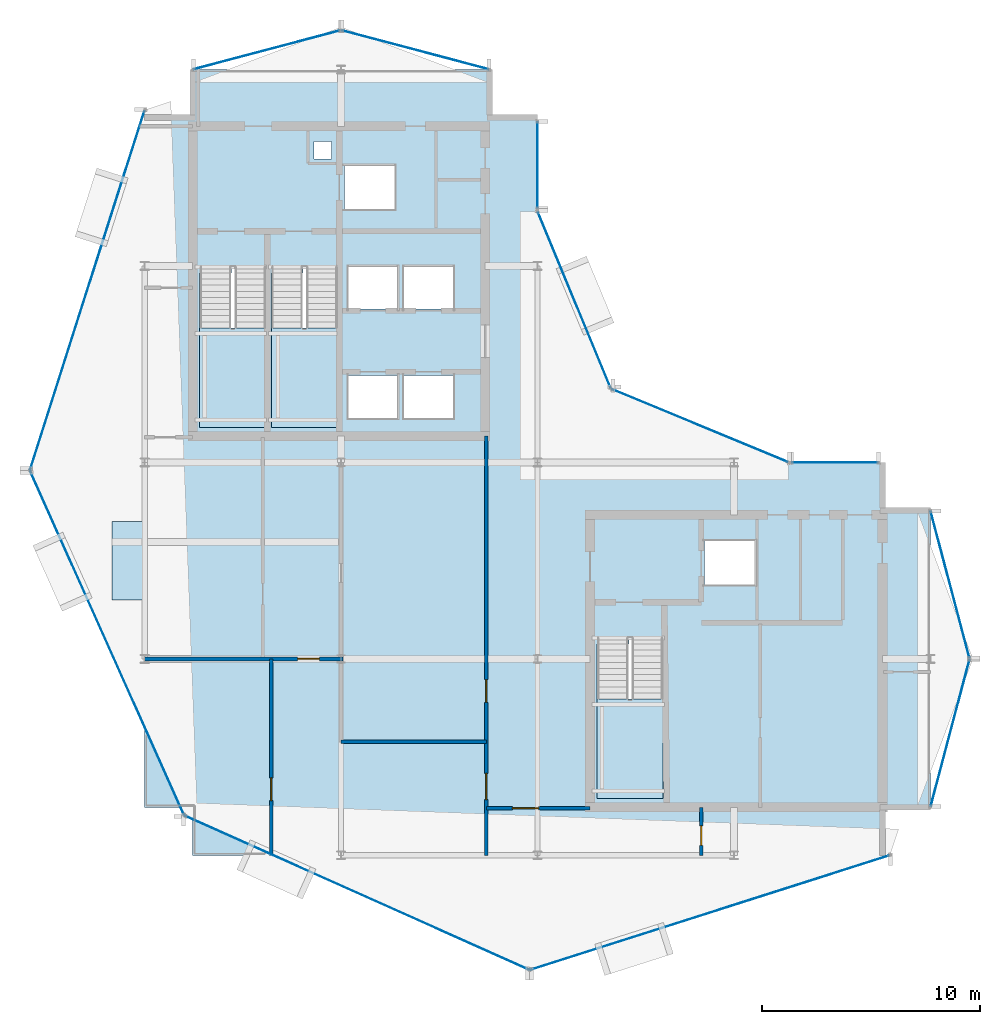
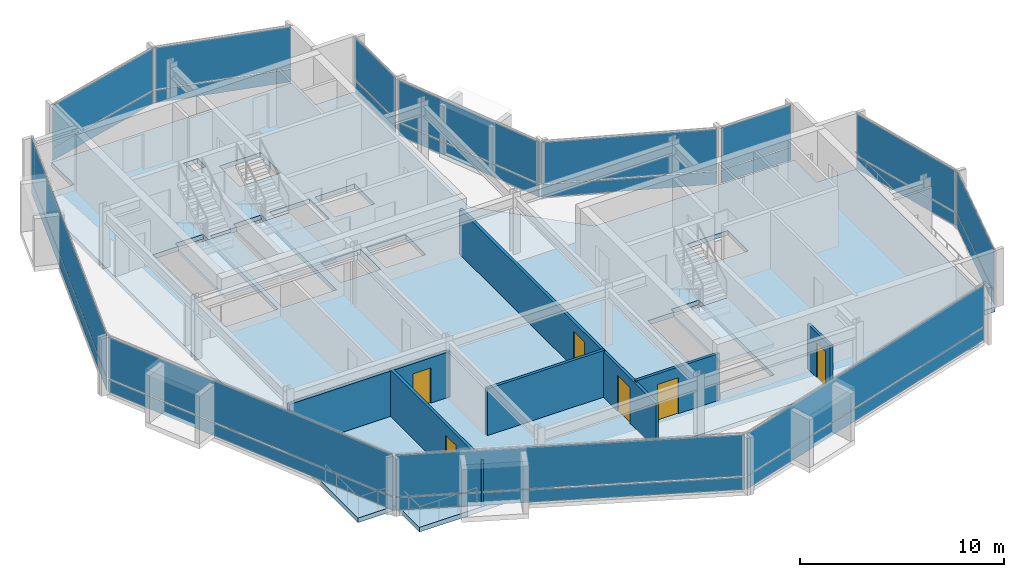
# One storey, part 13 of 19: 24 plates, 6 doors, 6 walls, 5 slabs, 6 openings, 15 elements without a shape of their own.
"""IFC4 building model written with IfcOpenShell, lengths in metres."""

from ifc_helpers import new_model, si_unit, direction, frame, frame_2d, origin, origin_2d, place, context, subcontext, project, spatial, polyline, rectangle, outline, extrude, material, layer, layer_set, type_object, element, fill, aggregate, save


model = new_model("IFC4")

# Units and contexts
model_context = context("Model", 3, precision=1e-05, world=origin(), true_north=direction((0.0, 1.0)))
body_context = subcontext(model_context, "Body", "Model", "MODEL_VIEW")
ifc_project = project(units=[si_unit("LENGTHUNIT", "METRE"), si_unit("AREAUNIT", "SQUARE_METRE"), si_unit("VOLUMEUNIT", "CUBIC_METRE"), si_unit("PLANEANGLEUNIT", "RADIAN"), si_unit("MASSUNIT", "GRAM", prefix="KILO")], contexts=[model_context])

# Site, building, storey
site_placement = place(None, origin())
site = spatial("IfcSite", under=ifc_project, at=site_placement, CompositionType="ELEMENT")
building_placement = place(site_placement, origin())
building = spatial("IfcBuilding", under=site, at=building_placement, Name="Solvaryn Broadcast Tower", CompositionType="ELEMENT")
storey_placement = place(building_placement, frame((0.0, 0.0, 248.199951171875)))
storey = spatial("IfcBuildingStorey", under=building, at=storey_placement, Name="L62", CompositionType="ELEMENT", Elevation=248.199951171875)

# Curtain wall, plates
ifc_material_1 = material(Name="Aluminium and Terracotta Unitised Curtain Wall", Category="masonry")
ifc_layer_1 = layer(ifc_material_1, 0.199951171875)
ifc_layer_set_1 = layer_set([ifc_layer_1], Name="CW-SYS2-LOWMID")
curtain_wall_type = type_object("IfcCurtainWallType", Name="CW-SYS2-LOWMID", PredefinedType="NOTDEFINED", material=ifc_layer_set_1)
curtain_wall_1_placement = place(storey_placement, origin())
curtain_wall_1 = element("IfcCurtainWall", 1, at=curtain_wall_1_placement, inside=storey, type_object=curtain_wall_type, Name="L62 Curtain Wall DR1", PredefinedType="NOTDEFINED")
ifc_material_2 = material(Name="Kiln-Fired Architectural Terracotta Spandrel", Category="masonry")
ifc_layer_2 = layer(ifc_material_2, 0.048095703125)
ifc_layer_set_2 = layer_set([ifc_layer_2], Name="CW-PNL-TERRACOTTA")
plate_type = type_object("IfcPlateType", Name="CW-PNL-TERRACOTTA", PredefinedType="CURTAIN_PANEL", material=ifc_layer_set_2)
plate_1_placement = place(storey_placement, frame((6.368896484375, 34.892578125, 0.06005859375), z_axis=(0.0, 0.0, 1.0), x_axis=(-0.30361564569, -0.952794594701, 0.0)))
plate_1 = element("IfcPlate", 2, at=plate_1_placement, type_object=plate_type, Name="CWS2 panel 1.1", PredefinedType="CURTAIN_PANEL", context=body_context, shape_type="SweptSolid", body=[
    extrude(rectangle(XDim=17.211181640625, YDim=0.028076171875, at=origin_2d()), origin(), (0.0, 0.0, 1.0), 0.760009765625),
])
plate_2_placement = place(storey_placement, frame((6.368896484375, 34.892578125, 0.880126953125), z_axis=(0.0, 0.0, 1.0), x_axis=(-0.30361564569, -0.952794594701, 0.0)))
plate_2 = element("IfcPlate", 3, at=plate_2_placement, type_object=plate_type, Name="CWS2 panel 1.2", PredefinedType="CURTAIN_PANEL", context=body_context, shape_type="SweptSolid", body=[
    extrude(rectangle(XDim=17.211181640625, YDim=0.028076171875, at=origin_2d()), origin(), (0.0, 0.0, 1.0), 2.47998046875),
])
aggregate(curtain_wall_1, [plate_1, plate_2])

curtain_wall_2_placement = place(storey_placement, origin())
curtain_wall_2 = element("IfcCurtainWall", 4, at=curtain_wall_2_placement, inside=storey, type_object=curtain_wall_type, Name="L62 Curtain Wall DR2", PredefinedType="NOTDEFINED")
plate_3_placement = place(storey_placement, frame((7.277587890625, 18.7265625, 0.06005859375), z_axis=(0.0, 0.0, 1.0), x_axis=(0.408466010682, -0.912773530574, 0.0)))
plate_3 = element("IfcPlate", 5, at=plate_3_placement, type_object=plate_type, Name="CWS2 panel 1.1", PredefinedType="CURTAIN_PANEL", context=body_context, shape_type="SweptSolid", body=[
    extrude(rectangle(XDim=17.210693359375, YDim=0.028076171875, at=origin_2d()), origin(), (0.0, 0.0, 1.0), 0.760009765625),
])
plate_4_placement = place(storey_placement, frame((7.277587890625, 18.7265625, 0.880126953125), z_axis=(0.0, 0.0, 1.0), x_axis=(0.408466010682, -0.912773530574, 0.0)))
plate_4 = element("IfcPlate", 6, at=plate_4_placement, type_object=plate_type, Name="CWS2 panel 1.2", PredefinedType="CURTAIN_PANEL", context=body_context, shape_type="SweptSolid", body=[
    extrude(rectangle(XDim=17.210693359375, YDim=0.028076171875, at=origin_2d()), origin(), (0.0, 0.0, 1.0), 2.47998046875),
])
aggregate(curtain_wall_2, [plate_3, plate_4])

curtain_wall_3_placement = place(storey_placement, origin())
curtain_wall_3 = element("IfcCurtainWall", 7, at=curtain_wall_3_placement, inside=storey, type_object=curtain_wall_type, Name="L62 Curtain Wall DR3", PredefinedType="NOTDEFINED")
plate_5_placement = place(storey_placement, frame((18.7265625, 7.277587890625, 0.06005859375), z_axis=(0.0, 0.0, 1.0), x_axis=(0.912773530574, -0.408466010682, 0.0)))
plate_5 = element("IfcPlate", 8, at=plate_5_placement, type_object=plate_type, Name="CWS2 panel 1.1", PredefinedType="CURTAIN_PANEL", context=body_context, shape_type="SweptSolid", body=[
    extrude(rectangle(XDim=17.210693359375, YDim=0.028076171875, at=origin_2d()), origin(), (0.0, 0.0, 1.0), 0.760009765625),
])
plate_6_placement = place(storey_placement, frame((18.7265625, 7.277587890625, 0.880126953125), z_axis=(0.0, 0.0, 1.0), x_axis=(0.912773530574, -0.408466010682, 0.0)))
plate_6 = element("IfcPlate", 9, at=plate_6_placement, type_object=plate_type, Name="CWS2 panel 1.2", PredefinedType="CURTAIN_PANEL", context=body_context, shape_type="SweptSolid", body=[
    extrude(rectangle(XDim=17.210693359375, YDim=0.028076171875, at=origin_2d()), origin(), (0.0, 0.0, 1.0), 2.47998046875),
])
aggregate(curtain_wall_3, [plate_5, plate_6])

curtain_wall_4_placement = place(storey_placement, origin())
curtain_wall_4 = element("IfcCurtainWall", 10, at=curtain_wall_4_placement, inside=storey, type_object=curtain_wall_type, Name="L62 Curtain Wall DR4", PredefinedType="NOTDEFINED")
plate_7_placement = place(storey_placement, frame((34.892578125, 6.368896484375, 0.06005859375), z_axis=(0.0, 0.0, 1.0), x_axis=(0.952794594701, 0.30361564569, 0.0)))
plate_7 = element("IfcPlate", 11, at=plate_7_placement, type_object=plate_type, Name="CWS2 panel 1.1", PredefinedType="CURTAIN_PANEL", context=body_context, shape_type="SweptSolid", body=[
    extrude(rectangle(XDim=17.211181640625, YDim=0.028076171875, at=origin_2d()), origin(), (0.0, 0.0, 1.0), 0.760009765625),
])
plate_8_placement = place(storey_placement, frame((34.892578125, 6.368896484375, 0.880126953125), z_axis=(0.0, 0.0, 1.0), x_axis=(0.952794594701, 0.30361564569, 0.0)))
plate_8 = element("IfcPlate", 12, at=plate_8_placement, type_object=plate_type, Name="CWS2 panel 1.2", PredefinedType="CURTAIN_PANEL", context=body_context, shape_type="SweptSolid", body=[
    extrude(rectangle(XDim=17.211181640625, YDim=0.028076171875, at=origin_2d()), origin(), (0.0, 0.0, 1.0), 2.47998046875),
])
aggregate(curtain_wall_4, [plate_7, plate_8])

curtain_wall_5_placement = place(storey_placement, origin())
curtain_wall_5 = element("IfcCurtainWall", 13, at=curtain_wall_5_placement, inside=storey, type_object=curtain_wall_type, Name="L62 Curtain Wall IV", PredefinedType="NOTDEFINED")
plate_9_placement = place(storey_placement, frame((27.0, 40.625, 0.06005859375), z_axis=(0.0, 0.0, 1.0), x_axis=(0.0, -1.0, 0.0)))
plate_9 = element("IfcPlate", 14, at=plate_9_placement, type_object=plate_type, Name="CWS2 panel 1.1", PredefinedType="CURTAIN_PANEL", context=body_context, shape_type="SweptSolid", body=[
    extrude(rectangle(XDim=3.929931640625, YDim=0.028076171875, at=origin_2d()), origin(), (0.0, 0.0, 1.0), 0.760009765625),
])
plate_10_placement = place(storey_placement, frame((27.0, 40.625, 0.880126953125), z_axis=(0.0, 0.0, 1.0), x_axis=(0.0, -1.0, 0.0)))
plate_10 = element("IfcPlate", 15, at=plate_10_placement, type_object=plate_type, Name="CWS2 panel 1.2", PredefinedType="CURTAIN_PANEL", context=body_context, shape_type="SweptSolid", body=[
    extrude(rectangle(XDim=3.929931640625, YDim=0.028076171875, at=origin_2d()), origin(), (0.0, 0.0, 1.0), 2.47998046875),
])
aggregate(curtain_wall_5, [plate_9, plate_10])

curtain_wall_6_placement = place(storey_placement, origin())
curtain_wall_6 = element("IfcCurtainWall", 16, at=curtain_wall_6_placement, inside=storey, type_object=curtain_wall_type, Name="L62 Curtain Wall CN1", PredefinedType="NOTDEFINED")
plate_11_placement = place(storey_placement, frame((34.43408203125, 28.68408203125, 0.06005859375), z_axis=(0.0, 0.0, 1.0), x_axis=(-0.923894983957, 0.382646127145, 0.0)))
plate_11 = element("IfcPlate", 17, at=plate_11_placement, type_object=plate_type, Name="CWS2 panel 1.1", PredefinedType="CURTAIN_PANEL", context=body_context, shape_type="SweptSolid", body=[
    extrude(rectangle(XDim=8.681884765625, YDim=0.028076171875, at=origin_2d()), origin(), (0.0, 0.0, 1.0), 0.760009765625),
])
plate_12_placement = place(storey_placement, frame((34.43408203125, 28.68408203125, 0.880126953125), z_axis=(0.0, 0.0, 1.0), x_axis=(-0.923894983957, 0.382646127145, 0.0)))
plate_12 = element("IfcPlate", 18, at=plate_12_placement, type_object=plate_type, Name="CWS2 panel 1.2", PredefinedType="CURTAIN_PANEL", context=body_context, shape_type="SweptSolid", body=[
    extrude(rectangle(XDim=8.681884765625, YDim=0.028076171875, at=origin_2d()), origin(), (0.0, 0.0, 1.0), 2.47998046875),
])
aggregate(curtain_wall_6, [plate_11, plate_12])

curtain_wall_7_placement = place(storey_placement, origin())
curtain_wall_7 = element("IfcCurtainWall", 19, at=curtain_wall_7_placement, inside=storey, type_object=curtain_wall_type, Name="L62 Curtain Wall CN2", PredefinedType="NOTDEFINED")
plate_13_placement = place(storey_placement, frame((28.68408203125, 34.43408203125, 0.06005859375), z_axis=(0.0, 0.0, 1.0), x_axis=(-0.382646127145, 0.923894983957, 0.0)))
plate_13 = element("IfcPlate", 20, at=plate_13_placement, type_object=plate_type, Name="CWS2 panel 1.1", PredefinedType="CURTAIN_PANEL", context=body_context, shape_type="SweptSolid", body=[
    extrude(rectangle(XDim=8.681884765625, YDim=0.028076171875, at=origin_2d()), origin(), (0.0, 0.0, 1.0), 0.760009765625),
])
plate_14_placement = place(storey_placement, frame((28.68408203125, 34.43408203125, 0.880126953125), z_axis=(0.0, 0.0, 1.0), x_axis=(-0.382646127145, 0.923894983957, 0.0)))
plate_14 = element("IfcPlate", 21, at=plate_14_placement, type_object=plate_type, Name="CWS2 panel 1.2", PredefinedType="CURTAIN_PANEL", context=body_context, shape_type="SweptSolid", body=[
    extrude(rectangle(XDim=8.681884765625, YDim=0.028076171875, at=origin_2d()), origin(), (0.0, 0.0, 1.0), 2.47998046875),
])
aggregate(curtain_wall_7, [plate_13, plate_14])

curtain_wall_8_placement = place(storey_placement, origin())
curtain_wall_8 = element("IfcCurtainWall", 22, at=curtain_wall_8_placement, inside=storey, type_object=curtain_wall_type, Name="L62 Curtain Wall NT1", PredefinedType="NOTDEFINED")
plate_15_placement = place(storey_placement, frame((21.39990234375, 45.89990234375, 0.06005859375), z_axis=(0.0, 0.0, 1.0), x_axis=(-0.966705227863, 0.25589256031, 0.0)))
plate_15 = element("IfcPlate", 23, at=plate_15_placement, type_object=plate_type, Name="CWS2 panel 1.1", PredefinedType="CURTAIN_PANEL", context=body_context, shape_type="SweptSolid", body=[
    extrude(rectangle(XDim=6.914306640625, YDim=0.028076171875, at=origin_2d()), origin(), (0.0, 0.0, 1.0), 0.760009765625),
])
plate_16_placement = place(storey_placement, frame((21.39990234375, 45.89990234375, 0.880126953125), z_axis=(0.0, 0.0, 1.0), x_axis=(-0.966705227863, 0.25589256031, 0.0)))
plate_16 = element("IfcPlate", 24, at=plate_16_placement, type_object=plate_type, Name="CWS2 panel 1.2", PredefinedType="CURTAIN_PANEL", context=body_context, shape_type="SweptSolid", body=[
    extrude(rectangle(XDim=6.914306640625, YDim=0.028076171875, at=origin_2d()), origin(), (0.0, 0.0, 1.0), 2.47998046875),
])
aggregate(curtain_wall_8, [plate_15, plate_16])

curtain_wall_9_placement = place(storey_placement, origin())
curtain_wall_9 = element("IfcCurtainWall", 25, at=curtain_wall_9_placement, inside=storey, type_object=curtain_wall_type, Name="L62 Curtain Wall NT2", PredefinedType="NOTDEFINED")
plate_17_placement = place(storey_placement, frame((14.60009765625, 45.89990234375, 0.06005859375), z_axis=(0.0, 0.0, 1.0), x_axis=(-0.966705227863, -0.25589256031, 0.0)))
plate_17 = element("IfcPlate", 26, at=plate_17_placement, type_object=plate_type, Name="CWS2 panel 1.1", PredefinedType="CURTAIN_PANEL", context=body_context, shape_type="SweptSolid", body=[
    extrude(rectangle(XDim=6.914306640625, YDim=0.028076171875, at=origin_2d()), origin(), (0.0, 0.0, 1.0), 0.760009765625),
])
plate_18_placement = place(storey_placement, frame((14.60009765625, 45.89990234375, 0.880126953125), z_axis=(0.0, 0.0, 1.0), x_axis=(-0.966705227863, -0.25589256031, 0.0)))
plate_18 = element("IfcPlate", 27, at=plate_18_placement, type_object=plate_type, Name="CWS2 panel 1.2", PredefinedType="CURTAIN_PANEL", context=body_context, shape_type="SweptSolid", body=[
    extrude(rectangle(XDim=6.914306640625, YDim=0.028076171875, at=origin_2d()), origin(), (0.0, 0.0, 1.0), 2.47998046875),
])
aggregate(curtain_wall_9, [plate_17, plate_18])

curtain_wall_10_placement = place(storey_placement, origin())
curtain_wall_10 = element("IfcCurtainWall", 28, at=curtain_wall_10_placement, inside=storey, type_object=curtain_wall_type, Name="L62 Curtain Wall ET1", PredefinedType="NOTDEFINED")
plate_19_placement = place(storey_placement, frame((45.89990234375, 21.39990234375, 0.06005859375), z_axis=(0.0, 0.0, 1.0), x_axis=(0.25589256031, -0.966705227863, 0.0)))
plate_19 = element("IfcPlate", 29, at=plate_19_placement, type_object=plate_type, Name="CWS2 panel 1.1", PredefinedType="CURTAIN_PANEL", context=body_context, shape_type="SweptSolid", body=[
    extrude(rectangle(XDim=6.914306640625, YDim=0.028076171875, at=origin_2d()), origin(), (0.0, 0.0, 1.0), 0.760009765625),
])
plate_20_placement = place(storey_placement, frame((45.89990234375, 21.39990234375, 0.880126953125), z_axis=(0.0, 0.0, 1.0), x_axis=(0.25589256031, -0.966705227863, 0.0)))
plate_20 = element("IfcPlate", 30, at=plate_20_placement, type_object=plate_type, Name="CWS2 panel 1.2", PredefinedType="CURTAIN_PANEL", context=body_context, shape_type="SweptSolid", body=[
    extrude(rectangle(XDim=6.914306640625, YDim=0.028076171875, at=origin_2d()), origin(), (0.0, 0.0, 1.0), 2.47998046875),
])
aggregate(curtain_wall_10, [plate_19, plate_20])

curtain_wall_11_placement = place(storey_placement, origin())
curtain_wall_11 = element("IfcCurtainWall", 31, at=curtain_wall_11_placement, inside=storey, type_object=curtain_wall_type, Name="L62 Curtain Wall ET2", PredefinedType="NOTDEFINED")
plate_21_placement = place(storey_placement, frame((45.89990234375, 14.60009765625, 0.06005859375), z_axis=(0.0, 0.0, 1.0), x_axis=(-0.25589256031, -0.966705227863, 0.0)))
plate_21 = element("IfcPlate", 32, at=plate_21_placement, type_object=plate_type, Name="CWS2 panel 1.1", PredefinedType="CURTAIN_PANEL", context=body_context, shape_type="SweptSolid", body=[
    extrude(rectangle(XDim=6.914306640625, YDim=0.028076171875, at=origin_2d()), origin(), (0.0, 0.0, 1.0), 0.760009765625),
])
plate_22_placement = place(storey_placement, frame((45.89990234375, 14.60009765625, 0.880126953125), z_axis=(0.0, 0.0, 1.0), x_axis=(-0.25589256031, -0.966705227863, 0.0)))
plate_22 = element("IfcPlate", 33, at=plate_22_placement, type_object=plate_type, Name="CWS2 panel 1.2", PredefinedType="CURTAIN_PANEL", context=body_context, shape_type="SweptSolid", body=[
    extrude(rectangle(XDim=6.914306640625, YDim=0.028076171875, at=origin_2d()), origin(), (0.0, 0.0, 1.0), 2.47998046875),
])
aggregate(curtain_wall_11, [plate_21, plate_22])

curtain_wall_12_placement = place(storey_placement, origin())
curtain_wall_12 = element("IfcCurtainWall", 34, at=curtain_wall_12_placement, inside=storey, type_object=curtain_wall_type, Name="L62 Curtain Wall IH", PredefinedType="NOTDEFINED")
plate_23_placement = place(storey_placement, frame((40.625, 27.0, 0.06005859375), z_axis=(0.0, 0.0, 1.0), x_axis=(1.0, 0.0, 0.0)))
plate_23 = element("IfcPlate", 35, at=plate_23_placement, type_object=plate_type, Name="CWS2 panel 1.1", PredefinedType="CURTAIN_PANEL", context=body_context, shape_type="SweptSolid", body=[
    extrude(rectangle(XDim=3.929931640625, YDim=0.028076171875, at=origin_2d()), origin(), (0.0, 0.0, 1.0), 0.760009765625),
])
plate_24_placement = place(storey_placement, frame((40.625, 27.0, 0.880126953125), z_axis=(0.0, 0.0, 1.0), x_axis=(1.0, 0.0, 0.0)))
plate_24 = element("IfcPlate", 36, at=plate_24_placement, type_object=plate_type, Name="CWS2 panel 1.2", PredefinedType="CURTAIN_PANEL", context=body_context, shape_type="SweptSolid", body=[
    extrude(rectangle(XDim=3.929931640625, YDim=0.028076171875, at=origin_2d()), origin(), (0.0, 0.0, 1.0), 2.47998046875),
])
aggregate(curtain_wall_12, [plate_23, plate_24])

# Slab
ifc_material_3 = material(Name="Concrete f'c 60 MPa", Category="concrete")
ifc_layer_3 = layer(ifc_material_3, 0.2099609375)
ifc_layer_set_3 = layer_set([ifc_layer_3], Name="SL-BAYBOX-210")
slab_type_1 = type_object("IfcSlabType", Name="SL-BAYBOX-210", PredefinedType="FLOOR", material=ifc_layer_set_3)
slab_1_placement = place(storey_placement, frame((0.0, 0.0, -0.2099609375)))
element("IfcSlab", 37, at=slab_1_placement, inside=storey, type_object=slab_type_1, Name="L62 Projecting Bay-Box Slab 1", PredefinedType="FLOOR", context=body_context, shape_type="SweptSolid", body=[
    extrude(outline(polyline([(7.5, 20.699951171875), (9.0, 20.699951171875), (9.0, 24.300048828125), (7.5, 24.300048828125), (7.5, 20.699951171875)])), origin(), (0.0, 0.0, 1.0), 0.2099609375),
])

# Stair, slab
ifc_material_4 = material(Name="Concrete f'c 60 MPa", Category="concrete")
stair_type = type_object("IfcStairType", Name="ST-CORE", PredefinedType="HALF_TURN_STAIR", material=ifc_material_4)
stair_1_placement = place(storey_placement, origin())
stair_1 = element("IfcStair", 38, at=stair_1_placement, inside=storey, type_object=stair_type, Name="L62 ST1", PredefinedType="HALF_TURN_STAIR")
ifc_material_5 = material(Name="Concrete f'c 60 MPa", Category="concrete")
ifc_layer_4 = layer(ifc_material_5, 0.199951171875)
ifc_layer_set_4 = layer_set([ifc_layer_4], Name="SL-LANDING-200")
slab_type_2 = type_object("IfcSlabType", Name="SL-LANDING-200", PredefinedType="LANDING", material=ifc_layer_set_4)
slab_2_placement = place(storey_placement, frame((0.0, 0.0, 1.650146484375)))
slab_2 = element("IfcSlab", 39, at=slab_2_placement, type_object=slab_type_2, Name="ST1 landing 1", PredefinedType="LANDING", context=body_context, shape_type="SweptSolid", body=[
    extrude(outline(polyline([(11.52001953125, 33.159912109375), (11.52001953125, 28.60009765625), (14.550048828125, 28.60009765625), (14.550048828125, 33.159912109375), (11.52001953125, 33.159912109375)])), origin(), (0.0, 0.0, 1.0), 0.199951171875),
])
aggregate(stair_1, [slab_2])

stair_2_placement = place(storey_placement, origin())
stair_2 = element("IfcStair", 40, at=stair_2_placement, inside=storey, type_object=stair_type, Name="L62 ST2", PredefinedType="HALF_TURN_STAIR")
slab_3_placement = place(storey_placement, frame((0.0, 0.0, 1.650146484375)))
slab_3 = element("IfcSlab", 41, at=slab_3_placement, type_object=slab_type_2, Name="ST2 landing 1", PredefinedType="LANDING", context=body_context, shape_type="SweptSolid", body=[
    extrude(outline(polyline([(14.800048828125, 33.159912109375), (14.800048828125, 28.60009765625), (17.830078125, 28.60009765625), (17.830078125, 33.159912109375), (14.800048828125, 33.159912109375)])), origin(), (0.0, 0.0, 1.0), 0.199951171875),
])
aggregate(stair_2, [slab_3])

stair_3_placement = place(storey_placement, origin())
stair_3 = element("IfcStair", 42, at=stair_3_placement, inside=storey, type_object=stair_type, Name="L62 ST3", PredefinedType="HALF_TURN_STAIR")
slab_4_placement = place(storey_placement, frame((0.0, 0.0, 1.650146484375)))
slab_4 = element("IfcSlab", 43, at=slab_4_placement, type_object=slab_type_2, Name="ST3 landing 1", PredefinedType="LANDING", context=body_context, shape_type="SweptSolid", body=[
    extrude(outline(polyline([(29.719970703125, 16.159912109375), (29.719970703125, 11.60009765625), (32.75, 11.60009765625), (32.75, 16.159912109375), (29.719970703125, 16.159912109375)])), origin(), (0.0, 0.0, 1.0), 0.199951171875),
])
aggregate(stair_3, [slab_4])

# Slab
ifc_material_6 = material(Name="Concrete f'c 60 MPa", Category="concrete")
ifc_layer_5 = layer(ifc_material_6, 0.280029296875)
ifc_layer_set_5 = layer_set([ifc_layer_5], Name="SL-TWR-280")
slab_type_3 = type_object("IfcSlabType", Name="SL-TWR-280", PredefinedType="FLOOR", material=ifc_layer_set_5)
slab_5_placement = place(storey_placement, frame((0.0, 0.0, -0.280029296875)))
element("IfcSlab", 44, at=slab_5_placement, inside=storey, type_object=slab_type_3, Name="L62 Structural Floor Slab", PredefinedType="FLOOR", context=body_context, shape_type="SweptSolid", body=[
    extrude(outline(polyline([(11.199951171875, 9.0), (42.800048828125, 9.0), (42.800048828125, 11.199951171875), (45.0, 11.199951171875), (45.0, 24.800048828125), (42.800048828125, 24.800048828125), (42.800048828125, 27.0), (31.5, 27.0), (27.0, 31.5), (27.0, 42.800048828125), (24.800048828125, 42.800048828125), (24.800048828125, 45.0), (11.199951171875, 45.0), (11.199951171875, 42.800048828125), (9.0, 42.800048828125), (9.0, 11.199951171875), (11.199951171875, 11.199951171875), (11.199951171875, 9.0)]), holes=[polyline([(11.52001953125, 28.60009765625), (14.550048828125, 28.60009765625), (14.550048828125, 35.9599609375), (12.97998046875, 35.9599609375), (12.97998046875, 35.679931640625), (11.52001953125, 35.679931640625), (11.52001953125, 28.60009765625)]), polyline([(14.800048828125, 28.60009765625), (17.830078125, 28.60009765625), (17.830078125, 35.9599609375), (16.260009765625, 35.9599609375), (16.260009765625, 35.679931640625), (14.800048828125, 35.679931640625), (14.800048828125, 28.60009765625)]), polyline([(29.719970703125, 11.60009765625), (32.75, 11.60009765625), (32.75, 18.9599609375), (31.179931640625, 18.9599609375), (31.179931640625, 18.679931640625), (29.719970703125, 18.679931640625), (29.719970703125, 11.60009765625)]), polyline([(18.14990234375, 38.60009765625), (20.449951171875, 38.60009765625), (20.449951171875, 40.60009765625), (18.14990234375, 40.60009765625), (18.14990234375, 38.60009765625)]), polyline([(18.324951171875, 29.02490234375), (20.574951171875, 29.02490234375), (20.574951171875, 30.97509765625), (18.324951171875, 30.97509765625), (18.324951171875, 29.02490234375)]), polyline([(20.875, 29.02490234375), (23.125, 29.02490234375), (23.125, 30.97509765625), (20.875, 30.97509765625), (20.875, 29.02490234375)]), polyline([(18.324951171875, 34.02490234375), (20.574951171875, 34.02490234375), (20.574951171875, 35.97509765625), (18.324951171875, 35.97509765625), (18.324951171875, 34.02490234375)]), polyline([(20.875, 34.02490234375), (23.125, 34.02490234375), (23.125, 35.97509765625), (20.875, 35.97509765625), (20.875, 34.02490234375)]), polyline([(34.64990234375, 21.39990234375), (36.949951171875, 21.39990234375), (36.949951171875, 23.39990234375), (34.64990234375, 23.39990234375), (34.64990234375, 21.39990234375)]), polyline([(16.75, 40.89990234375), (17.550048828125, 40.89990234375), (17.550048828125, 41.699951171875), (16.75, 41.699951171875), (16.75, 40.89990234375)])]), origin(), (0.0, 0.0, 1.0), 0.280029296875),
])

# Wall, opening, door
ifc_material_7 = material(Name="Metal-Stud Service Core Partition")
ifc_layer_6 = layer(ifc_material_7, 0.14990234375)
ifc_layer_set_6 = layer_set([ifc_layer_6], Name="IW-PART-150")
wall_type_1 = type_object("IfcWallType", Name="IW-PART-150", PredefinedType="PARTITIONING", material=ifc_layer_set_6)
wall_1_placement = place(storey_placement, frame((34.5, 9.0, 0.0), z_axis=(0.0, 0.0, 1.0), x_axis=(0.0, 1.0, 0.0)))
wall_1 = element("IfcWall", 45, at=wall_1_placement, inside=storey, type_object=wall_type_1, Name="L62 Interior Partition IW-L62-SC-V", PredefinedType="PARTITIONING", context=body_context, shape_type="SweptSolid", body=[
    extrude(rectangle(XDim=2.199951171875, YDim=0.14990234375, at=frame_2d((1.10009765625, 0.0))), origin(), (0.0, 0.0, 1.0), 2.70703125),
])
opening_1_placement = place(wall_1_placement, frame((0.449951171875, 0.0, 0.0)))
opening_1 = element("IfcOpeningElement", 46, at=opening_1_placement, cuts=wall_1, Name="Opening FD60C", PredefinedType="OPENING", context=body_context, shape_type="SweptSolid", body=[
    extrude(rectangle(XDim=0.89990234375, YDim=2.10009765625, at=frame_2d((0.449951171875, 1.050048828125))), frame((0.0, 0.0849609375, 0.0), z_axis=(0.0, -1.0, 0.0), x_axis=(1.0, 0.0, 0.0)), (0.0, 0.0, 1.0), 0.169921875),
])
ifc_material_8 = material(Name="Flush Acoustic Steel and Timber Door Assembly", Category="steel")
door_type_1 = type_object("IfcDoorType", Name="FD60-SERV-900X2100", OperationType="NOTDEFINED", PredefinedType="DOOR", material=ifc_material_8)
door_1_placement = place(opening_1_placement, origin())
door_1 = element("IfcDoor", 47, at=door_1_placement, inside=storey, type_object=door_type_1, Name="L62 Door DR-L62-SC1", OperationType="SINGLE_SWING_LEFT", OverallHeight=2.10009765625, OverallWidth=0.89990234375, PredefinedType="DOOR", context=body_context, shape_type="SweptSolid", body=[
    extrude(rectangle(XDim=0.89990234375, YDim=2.10009765625, at=frame_2d((0.449951171875, 1.050048828125))), frame((0.0, 0.02490234375, 0.0), z_axis=(0.0, -1.0, 0.0), x_axis=(1.0, 0.0, 0.0)), (0.0, 0.0, 1.0), 0.050048828125),
])
fill(opening_1, door_1)

# Wall, openings, doors
ifc_material_9 = material(Name="Metal-Stud Gypsum Office Partition")
ifc_layer_7 = layer(ifc_material_9, 0.159912109375)
ifc_layer_set_7 = layer_set([ifc_layer_7], Name="IW-PART-160")
wall_type_2 = type_object("IfcWallType", Name="IW-PART-160", PredefinedType="PARTITIONING", material=ifc_layer_set_7)
wall_2_placement = place(storey_placement, frame((24.64990234375, 9.0, 0.0), z_axis=(0.0, 0.0, 1.0), x_axis=(0.0, 1.0, 0.0)))
wall_2 = element("IfcWall", 48, at=wall_2_placement, inside=storey, type_object=wall_type_2, Name="L62 Interior Partition IW-L62-SW-EB", PredefinedType="PARTITIONING", context=body_context, shape_type="SweptSolid", body=[
    extrude(rectangle(XDim=19.199951171875, YDim=0.159912109375, at=frame_2d((9.60009765625, 0.0))), origin(), (0.0, 0.0, 1.0), 2.70703125),
])
opening_2_placement = place(wall_2_placement, frame((7.0, 0.0, 0.0)))
opening_2 = element("IfcOpeningElement", 49, at=opening_2_placement, cuts=wall_2, Name="Opening ID03", PredefinedType="OPENING", context=body_context, shape_type="SweptSolid", body=[
    extrude(rectangle(XDim=1.050048828125, YDim=2.14990234375, at=frame_2d((0.52490234375, 1.074951171875))), frame((0.0, 0.090087890625, 0.0), z_axis=(0.0, -1.0, 0.0), x_axis=(1.0, 0.0, 0.0)), (0.0, 0.0, 1.0), 0.179931640625),
])
opening_3_placement = place(wall_2_placement, frame((2.550048828125, 0.0, 0.0)))
opening_3 = element("IfcOpeningElement", 50, at=opening_3_placement, cuts=wall_2, Name="Opening ID04", PredefinedType="OPENING", context=body_context, shape_type="SweptSolid", body=[
    extrude(rectangle(XDim=1.199951171875, YDim=2.14990234375, at=frame_2d((0.60009765625, 1.074951171875))), frame((0.0, 0.090087890625, 0.0), z_axis=(0.0, -1.0, 0.0), x_axis=(1.0, 0.0, 0.0)), (0.0, 0.0, 1.0), 0.179931640625),
])
ifc_material_10 = material(Name="Flush Acoustic Steel and Timber Door Assembly", Category="steel")
door_type_2 = type_object("IfcDoorType", Name="ID-03-1050X2150", OperationType="NOTDEFINED", PredefinedType="DOOR", material=ifc_material_10)
door_2_placement = place(opening_2_placement, origin())
door_2 = element("IfcDoor", 51, at=door_2_placement, inside=storey, type_object=door_type_2, Name="L62 Door DR-L62-SWL-E1", OperationType="SINGLE_SWING_RIGHT", OverallHeight=2.14990234375, OverallWidth=1.050048828125, PredefinedType="DOOR", context=body_context, shape_type="SweptSolid", body=[
    extrude(rectangle(XDim=1.050048828125, YDim=2.14990234375, at=frame_2d((0.52490234375, 1.074951171875))), frame((0.0, 0.02490234375, 0.0), z_axis=(0.0, -1.0, 0.0), x_axis=(1.0, 0.0, 0.0)), (0.0, 0.0, 1.0), 0.050048828125),
])
fill(opening_2, door_2)
ifc_material_11 = material(Name="Flush Acoustic Steel and Timber Door Assembly", Category="steel")
door_type_3 = type_object("IfcDoorType", Name="ID-04-1200X2150", OperationType="NOTDEFINED", PredefinedType="DOOR", material=ifc_material_11)
door_3_placement = place(opening_3_placement, origin())
door_3 = element("IfcDoor", 52, at=door_3_placement, inside=storey, type_object=door_type_3, Name="L62 Door DR-L62-SWL-E2", OperationType="SINGLE_SWING_LEFT", OverallHeight=2.14990234375, OverallWidth=1.199951171875, PredefinedType="DOOR", context=body_context, shape_type="SweptSolid", body=[
    extrude(rectangle(XDim=1.199951171875, YDim=2.14990234375, at=frame_2d((0.60009765625, 1.074951171875))), frame((0.0, 0.02490234375, 0.0), z_axis=(0.0, -1.0, 0.0), x_axis=(1.0, 0.0, 0.0)), (0.0, 0.0, 1.0), 0.050048828125),
])
fill(opening_3, door_3)

# Wall
wall_3_placement = place(storey_placement, frame((18.0, 14.199951171875, 0.0), z_axis=(0.0, 0.0, 1.0), x_axis=(1.0, 0.0, 0.0)))
element("IfcWall", 53, at=wall_3_placement, inside=storey, type_object=wall_type_2, Name="L62 Interior Partition IW-L62-SW-RH", PredefinedType="PARTITIONING", context=body_context, shape_type="SweptSolid", body=[
    extrude(rectangle(XDim=6.64990234375, YDim=0.159912109375, at=frame_2d((3.324951171875, 0.0))), origin(), (0.0, 0.0, 1.0), 2.7890625),
])

# Wall, opening, door
wall_4_placement = place(storey_placement, frame((14.800048828125, 9.0, 0.0), z_axis=(0.0, 0.0, 1.0), x_axis=(0.0, 1.0, 0.0)))
wall_4 = element("IfcWall", 54, at=wall_4_placement, inside=storey, type_object=wall_type_2, Name="L62 Interior Partition IW-L62-SW-SWV", PredefinedType="PARTITIONING", context=body_context, shape_type="SweptSolid", body=[
    extrude(rectangle(XDim=9.0, YDim=0.159912109375, at=frame_2d((4.5, 0.0))), origin(), (0.0, 0.0, 1.0), 2.7890625),
])
opening_4_placement = place(wall_4_placement, frame((2.5, 0.0, 0.0)))
opening_4 = element("IfcOpeningElement", 55, at=opening_4_placement, cuts=wall_4, Name="Opening ID03", PredefinedType="OPENING", context=body_context, shape_type="SweptSolid", body=[
    extrude(rectangle(XDim=1.050048828125, YDim=2.14990234375, at=frame_2d((0.52490234375, 1.074951171875))), frame((0.0, 0.090087890625, 0.0), z_axis=(0.0, -1.0, 0.0), x_axis=(1.0, 0.0, 0.0)), (0.0, 0.0, 1.0), 0.179931640625),
])
door_4_placement = place(opening_4_placement, origin())
door_4 = element("IfcDoor", 56, at=door_4_placement, inside=storey, type_object=door_type_2, Name="L62 Door DR-L62-SWL-SW", OperationType="SINGLE_SWING_LEFT", OverallHeight=2.14990234375, OverallWidth=1.050048828125, PredefinedType="DOOR", context=body_context, shape_type="SweptSolid", body=[
    extrude(rectangle(XDim=1.050048828125, YDim=2.14990234375, at=frame_2d((0.52490234375, 1.074951171875))), frame((0.0, 0.02490234375, 0.0), z_axis=(0.0, -1.0, 0.0), x_axis=(1.0, 0.0, 0.0)), (0.0, 0.0, 1.0), 0.050048828125),
])
fill(opening_4, door_4)

wall_5_placement = place(storey_placement, frame((24.64990234375, 11.14990234375, 0.0), z_axis=(0.0, 0.0, 1.0), x_axis=(1.0, 0.0, 0.0)))
wall_5 = element("IfcWall", 57, at=wall_5_placement, inside=storey, type_object=wall_type_2, Name="L62 Interior Partition IW-L62-SC-N", PredefinedType="PARTITIONING", context=body_context, shape_type="SweptSolid", body=[
    extrude(rectangle(XDim=4.75, YDim=0.159912109375, at=frame_2d((2.375, 0.0))), origin(), (0.0, 0.0, 1.0), 2.7919921875),
])
opening_5_placement = place(wall_5_placement, frame((1.199951171875, 0.0, 0.0)))
opening_5 = element("IfcOpeningElement", 58, at=opening_5_placement, cuts=wall_5, Name="Opening ID04", PredefinedType="OPENING", context=body_context, shape_type="SweptSolid", body=[
    extrude(rectangle(XDim=1.199951171875, YDim=2.14990234375, at=frame_2d((0.60009765625, 1.074951171875))), frame((0.0, 0.090087890625, 0.0), z_axis=(0.0, -1.0, 0.0), x_axis=(1.0, 0.0, 0.0)), (0.0, 0.0, 1.0), 0.179931640625),
])
door_5_placement = place(opening_5_placement, origin())
door_5 = element("IfcDoor", 59, at=door_5_placement, inside=storey, type_object=door_type_3, Name="L62 Door DR-L62-SC0", OperationType="SINGLE_SWING_RIGHT", OverallHeight=2.14990234375, OverallWidth=1.199951171875, PredefinedType="DOOR", context=body_context, shape_type="SweptSolid", body=[
    extrude(rectangle(XDim=1.199951171875, YDim=2.14990234375, at=frame_2d((0.60009765625, 1.074951171875))), frame((0.0, 0.02490234375, 0.0), z_axis=(0.0, -1.0, 0.0), x_axis=(1.0, 0.0, 0.0)), (0.0, 0.0, 1.0), 0.050048828125),
])
fill(opening_5, door_5)

ifc_material_12 = material(Name="Acoustic Metal-Stud Gypsum Partition")
ifc_layer_8 = layer(ifc_material_12, 0.179931640625)
ifc_layer_set_8 = layer_set([ifc_layer_8], Name="IW-PART-180")
wall_type_3 = type_object("IfcWallType", Name="IW-PART-180", PredefinedType="PARTITIONING", material=ifc_layer_set_8)
wall_6_placement = place(storey_placement, frame((9.0, 18.0, 0.0), z_axis=(0.0, 0.0, 1.0), x_axis=(1.0, 0.0, 0.0)))
wall_6 = element("IfcWall", 60, at=wall_6_placement, inside=storey, type_object=wall_type_3, Name="L62 Interior Partition IW-L62-SW-LH", PredefinedType="PARTITIONING", context=body_context, shape_type="SweptSolid", body=[
    extrude(rectangle(XDim=9.080078125, YDim=0.179931640625, at=frame_2d((4.5400390625, 0.0))), origin(), (0.0, 0.0, 1.0), 2.70703125),
])
opening_6_placement = place(wall_6_placement, frame((7.0, 0.0, 0.0)))
opening_6 = element("IfcOpeningElement", 61, at=opening_6_placement, cuts=wall_6, Name="Opening ID02", PredefinedType="OPENING", context=body_context, shape_type="SweptSolid", body=[
    extrude(rectangle(XDim=1.0, YDim=2.10009765625, at=frame_2d((0.5, 1.050048828125))), frame((0.0, 0.099853515625, 0.0), z_axis=(0.0, -1.0, 0.0), x_axis=(1.0, 0.0, 0.0)), (0.0, 0.0, 1.0), 0.199951171875),
])
ifc_material_13 = material(Name="Flush Acoustic Steel and Timber Door Assembly", Category="steel")
door_type_4 = type_object("IfcDoorType", Name="ID-02-1000X2100", OperationType="NOTDEFINED", PredefinedType="DOOR", material=ifc_material_13)
door_6_placement = place(opening_6_placement, origin())
door_6 = element("IfcDoor", 62, at=door_6_placement, inside=storey, type_object=door_type_4, Name="L62 Door DR-L62-SWL-LH", OperationType="SINGLE_SWING_RIGHT", OverallHeight=2.10009765625, OverallWidth=1.0, PredefinedType="DOOR", context=body_context, shape_type="SweptSolid", body=[
    extrude(rectangle(XDim=1.0, YDim=2.10009765625, at=frame_2d((0.5, 1.050048828125))), frame((0.0, 0.02490234375, 0.0), z_axis=(0.0, -1.0, 0.0), x_axis=(1.0, 0.0, 0.0)), (0.0, 0.0, 1.0), 0.050048828125),
])
fill(opening_6, door_6)

save(model, "model.ifc")
